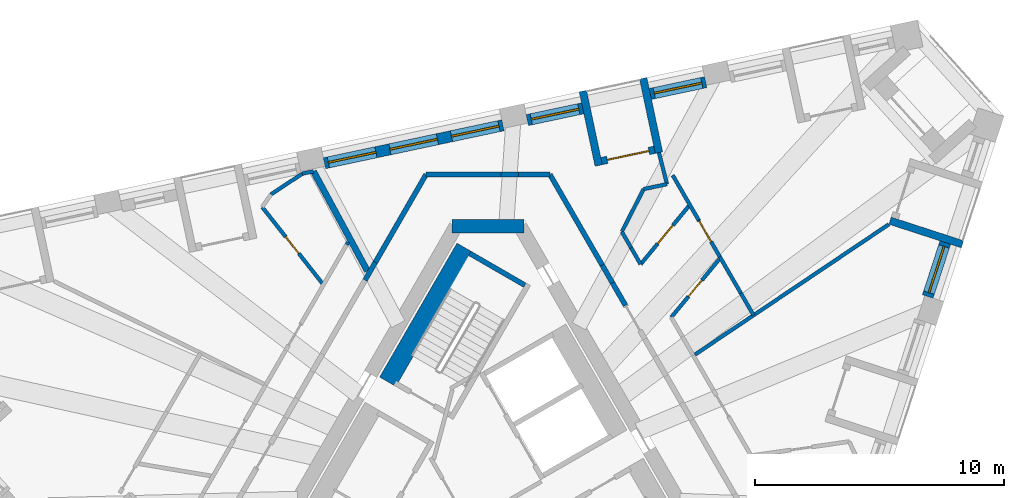
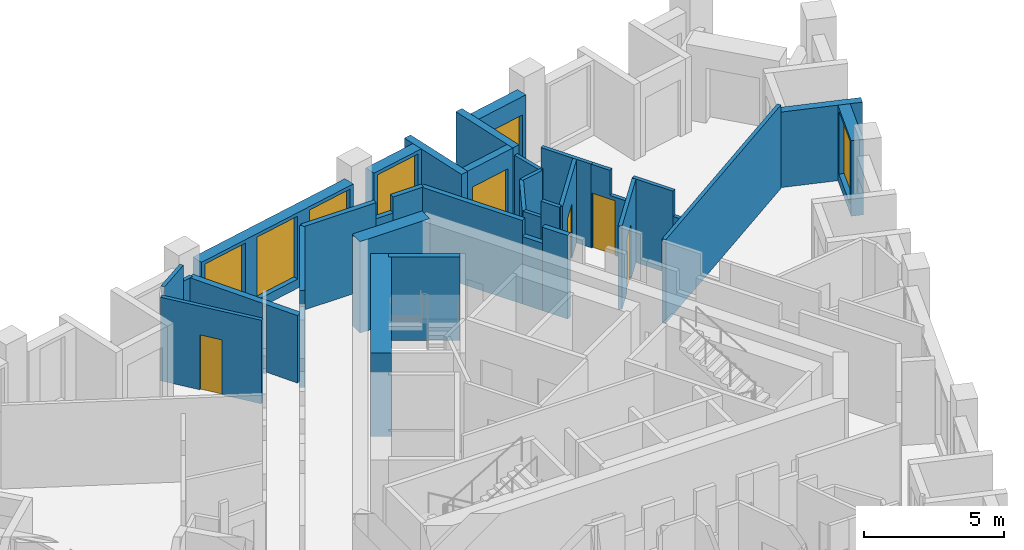
# One storey, part 7 of 12: 36 walls, 6 windows, 5 doors, 11 openings.
"""IFC4 building model written with IfcOpenShell, lengths in metres."""

import ifcopenshell
import ifcopenshell.guid

model = None  # the IFC model being written
_history = None  # IfcOwnerHistory: only IFC2X3 demands one
_inside = {}  # id of a spatial element -> (the spatial element, [elements in it])
_under = {}  # id of a project, library or spatial element -> (it, [spatial elements below it])
_declared = {}  # id of a project -> (the project, [libraries it declares])
_typed = {}  # id of a type object -> (the type object, [elements of that type])
_made_of = {}  # id of a material, layer set ... -> (it, [elements and type objects made of it])


def new_model(schema):
    """Start an empty IFC model of exactly this schema.

    Asked for "IFC4X3", IfcOpenShell would pick the latest addendum, in which some entities
    have other attributes; the version numbers below select the first issue.
    IFC2X3 requires an IfcOwnerHistory on every rooted entity: one is made here for all.
    """
    global model, _history
    if schema == "IFC4X3":
        model = ifcopenshell.file(schema_version=(4, 3, 0, 0))
    else:
        model = ifcopenshell.file(schema=schema)
    _inside.clear()
    _under.clear()
    _declared.clear()
    _typed.clear()
    _made_of.clear()
    _history = None
    if model.schema == "IFC2X3":
        org = make("IfcOrganization", Name="unknown")
        user = make(
            "IfcPersonAndOrganization",
            ThePerson=make("IfcPerson", FamilyName="unknown"),
            TheOrganization=org,
        )
        app = make(
            "IfcApplication",
            ApplicationDeveloper=org,
            Version="unknown",
            ApplicationFullName="unknown",
            ApplicationIdentifier="unknown",
        )
        _history = make(
            "IfcOwnerHistory",
            OwningUser=user,
            OwningApplication=app,
            ChangeAction="ADDED",
            CreationDate=0,
        )
    return model


def make(cls, **values):
    """One entity of the class cls with the attributes given. An attribute that is None is left unset."""
    return model.create_entity(
        cls, **{name: value for name, value in values.items() if value is not None}
    )


def rooted(cls, **values):
    """An entity with a GlobalId (a new one), such as an element, a storey or a relation."""
    return make(cls, GlobalId=ifcopenshell.guid.new(), OwnerHistory=_history, **values)


def si_unit(unit_type, name, prefix=None):
    """IfcSIUnit, for example si_unit("LENGTHUNIT", "METRE", prefix="MILLI")."""
    return make("IfcSIUnit", UnitType=unit_type, Prefix=prefix, Name=name)


def assignment(units):
    """IfcUnitAssignment: the units of a project."""
    return None if units is None else make("IfcUnitAssignment", Units=units)


def point(xyz):
    """IfcCartesianPoint."""
    return None if xyz is None else make("IfcCartesianPoint", Coordinates=xyz)


def direction(xyz):
    """IfcDirection."""
    return None if xyz is None else make("IfcDirection", DirectionRatios=xyz)


def frame(location, z_axis=None, x_axis=None):
    """IfcAxis2Placement3D, a coordinate frame: its origin and axes. An axis left out is left unset."""
    return make(
        "IfcAxis2Placement3D",
        Location=point(location),
        Axis=direction(z_axis),
        RefDirection=direction(x_axis),
    )


def frame_2d(location, x_axis=None):
    """IfcAxis2Placement2D, a coordinate frame in the plane: its origin and x axis."""
    return make(
        "IfcAxis2Placement2D", Location=point(location), RefDirection=direction(x_axis)
    )


def origin():
    """The frame at (0, 0, 0) with its axes left unset."""
    return frame((0.0, 0.0, 0.0))


def place(relative_to, where):
    """IfcLocalPlacement: puts the frame where relative to a parent placement (None: the world)."""
    return make(
        "IfcLocalPlacement", PlacementRelTo=relative_to, RelativePlacement=where
    )


def context(
    kind, dimensions, precision=None, world=None, true_north=None, identifier=None
):
    """IfcGeometricRepresentationContext, for example the 3D "Model" context."""
    return make(
        "IfcGeometricRepresentationContext",
        ContextIdentifier=identifier,
        ContextType=kind,
        CoordinateSpaceDimension=dimensions,
        Precision=precision,
        WorldCoordinateSystem=world,
        TrueNorth=true_north,
    )


def subcontext(parent, identifier, kind, view, scale=None):
    """IfcGeometricRepresentationSubContext, for example "Body" below "Model"."""
    return make(
        "IfcGeometricRepresentationSubContext",
        ContextIdentifier=identifier,
        ContextType=kind,
        ParentContext=parent,
        TargetScale=scale,
        TargetView=view,
    )


def project(units=None, contexts=None):
    """IfcProject with its units and contexts."""
    return rooted(
        "IfcProject",
        Name="project",
        RepresentationContexts=contexts,
        UnitsInContext=assignment(units),
    )


def spatial(cls, under=None, at=None, **own):
    """A site, building, storey or space (cls), placed at a placement, below another one or the project."""
    s = rooted(cls, ObjectPlacement=at, **own)
    if under is not None:
        _under.setdefault(under.id(), (under, []))[1].append(s)
    return s


def polyline(points):
    """IfcPolyline through the points."""
    return make("IfcPolyline", Points=[point(p) for p in points])


def profile(cls, at=None, kind="AREA", **sizes):
    """A parametric profile (cls). Its sizes go by their IFC names, for example OverallWidth=200.0."""
    return make(cls, ProfileType=kind, Position=at, **sizes)


def rectangle(**sizes):
    """IfcRectangleProfileDef."""
    return profile("IfcRectangleProfileDef", **sizes)


def outline(outer, holes=None, kind="AREA"):
    """IfcArbitraryClosedProfileDef: a profile drawn as a closed curve; with holes, ...WithVoids."""
    if holes is None:
        return make("IfcArbitraryClosedProfileDef", ProfileType=kind, OuterCurve=outer)
    return make(
        "IfcArbitraryProfileDefWithVoids",
        ProfileType=kind,
        OuterCurve=outer,
        InnerCurves=holes,
    )


def extrude(swept, where, along, depth):
    """IfcExtrudedAreaSolid: the profile swept, set in the frame where, extruded along a direction by depth."""
    return make(
        "IfcExtrudedAreaSolid",
        SweptArea=swept,
        Position=where,
        ExtrudedDirection=direction(along),
        Depth=depth,
    )


def shape(context_of_items, identifier, shape_type, items):
    """IfcShapeRepresentation: the items that make up one representation, for example the "Body"."""
    return make(
        "IfcShapeRepresentation",
        ContextOfItems=context_of_items,
        RepresentationIdentifier=identifier,
        RepresentationType=shape_type,
        Items=items,
    )


def material(Name=None, Category=None):
    """IfcMaterial."""
    return make("IfcMaterial", Name=Name, Category=Category)


def layer(
    of_material, thickness, ventilated=None, Name=None, Category=None, Priority=None
):
    """IfcMaterialLayer: one layer of a wall or slab, of a material (None: an air gap)."""
    return make(
        "IfcMaterialLayer",
        Material=of_material,
        LayerThickness=thickness,
        IsVentilated=ventilated,
        Name=Name,
        Category=Category,
        Priority=Priority,
    )


def layer_set(layers, Name=None):
    """IfcMaterialLayerSet."""
    return make("IfcMaterialLayerSet", MaterialLayers=layers, LayerSetName=Name)


def made_of(thing, what):
    """Note that an element or type object is made of a material, layer set ...; save() writes the relation."""
    if what is not None:
        _made_of.setdefault(what.id(), (what, []))[1].append(thing)
    return thing


def type_object(cls, material=None, **own):
    """A type object (cls), such as IfcWallType, which elements share."""
    return made_of(rooted(cls, **own), material)


def element(
    cls,
    number,
    at=None,
    inside=None,
    cuts=None,
    type_object=None,
    material=None,
    context=None,
    identifier="Body",
    shape_type=None,
    held_by="IfcProductDefinitionShape",
    body=None,
    shapes=None,
    **own,
):
    """One element of the class cls, such as IfcWall. Its Tag is "e" and its number.

    at: its placement. inside: the storey or other place that contains it. cuts: it is an
    opening in that element (IfcRelVoidsElement). A single representation is given by context,
    identifier, shape_type and body (its items); several are given by shapes. held_by: the class
    of the entity that holds the representations. save() writes the other relations.
    """
    e = rooted(cls, Tag="e%d" % number, ObjectPlacement=at, **own)
    if body is not None:
        shapes = [shape(context, identifier, shape_type, body)]
    if shapes is not None:
        e.Representation = make(held_by, Representations=shapes)
    if inside is not None:
        _inside.setdefault(inside.id(), (inside, []))[1].append(e)
    if cuts is not None:
        rooted(
            "IfcRelVoidsElement", RelatingBuildingElement=cuts, RelatedOpeningElement=e
        )
    if type_object is not None:
        _typed.setdefault(type_object.id(), (type_object, []))[1].append(e)
    return made_of(e, material)


def fill(opening, filler):
    """IfcRelFillsElement: the door or window that sits in an opening."""
    return rooted(
        "IfcRelFillsElement",
        RelatingOpeningElement=opening,
        RelatedBuildingElement=filler,
    )


def aggregate(whole, parts):
    """IfcRelAggregates: a whole, such as a stair, and the parts it consists of."""
    return rooted("IfcRelAggregates", RelatingObject=whole, RelatedObjects=parts)


def save(model, path):
    """Write the relations noted so far, then the file.

    IfcRelAggregates (storeys below a building ...), IfcRelContainedInSpatialStructure (elements
    in a storey), IfcRelDefinesByType, IfcRelAssociatesMaterial and IfcRelDeclares: one each for
    every whole, place, type object, material and project.
    """
    for whole, parts in _under.values():
        aggregate(whole, parts)
    for where, things in _inside.values():
        rooted(
            "IfcRelContainedInSpatialStructure",
            RelatedElements=things,
            RelatingStructure=where,
        )
    for kind, things in _typed.values():
        rooted("IfcRelDefinesByType", RelatedObjects=things, RelatingType=kind)
    for what, things in _made_of.values():
        rooted("IfcRelAssociatesMaterial", RelatedObjects=things, RelatingMaterial=what)
    for by, libraries in _declared.values():
        rooted("IfcRelDeclares", RelatingContext=by, RelatedDefinitions=libraries)
    model.write(path)


model = new_model("IFC4")

# Units and contexts
model_context = context("Model", 3, precision=1e-05, world=origin(), true_north=direction((0.0, 1.0)))
body_context = subcontext(model_context, "Body", "Model", "MODEL_VIEW")
ifc_project = project(units=[si_unit("LENGTHUNIT", "METRE"), si_unit("AREAUNIT", "SQUARE_METRE"), si_unit("VOLUMEUNIT", "CUBIC_METRE"), si_unit("PLANEANGLEUNIT", "RADIAN"), si_unit("MASSUNIT", "GRAM", prefix="KILO")], contexts=[model_context])

# Site, building, storey
site_placement = place(None, origin())
site = spatial("IfcSite", under=ifc_project, at=site_placement, CompositionType="ELEMENT")
building_placement = place(site_placement, origin())
building = spatial("IfcBuilding", under=site, at=building_placement, Name="Tramontana Tower", CompositionType="ELEMENT")
storey_placement = place(building_placement, frame((0.0, 0.0, 332.39990234375)))
storey = spatial("IfcBuildingStorey", under=building, at=storey_placement, Name="L76", CompositionType="ELEMENT", Elevation=332.39990234375)

# Walls
ifc_material_1 = material(Name="Concrete 70 MPa", Category="concrete")
ifc_layer_1 = layer(ifc_material_1, 0.550048828125)
ifc_layer_set_1 = layer_set([ifc_layer_1], Name="Core wall 550 70 MPa")
wall_type_1 = type_object("IfcWallType", Name="Core wall 550 70 MPa", PredefinedType="SHEAR", material=ifc_layer_set_1)
wall_1_placement = place(storey_placement, frame((1.443359375, 10.72509765625, 0.0), z_axis=(0.0, 0.0, 1.0), x_axis=(-1.0, 0.0, 0.0)))
element("IfcWall", 1, at=wall_1_placement, inside=storey, type_object=wall_type_1, Name="Core wall C0 L76", PredefinedType="SHEAR", context=body_context, shape_type="SweptSolid", body=[
    extrude(rectangle(XDim=2.88671875, YDim=0.550048828125, at=frame_2d((1.443359375, 0.0))), origin(), (0.0, 0.0, 1.0), 4.0),
])
ifc_material_2 = material(Name="Blockwork", Category="masonry")
ifc_layer_2 = layer(ifc_material_2, 0.199951171875)
ifc_layer_set_2 = layer_set([ifc_layer_2], Name="ENTRY WALL 200")
wall_type_2 = type_object("IfcWallType", Name="ENTRY WALL 200", PredefinedType="SOLIDWALL", material=ifc_layer_set_2)
wall_2_placement = place(storey_placement, frame((-4.9287109375, 8.563232421875, 0.0), z_axis=(0.0, 0.0, 1.0), x_axis=(0.500046299512, 0.865998671098, 0.0)))
element("IfcWall", 2, at=wall_2_placement, inside=storey, type_object=wall_type_2, Name="Wall v81-ew3-9", PredefinedType="SOLIDWALL", context=body_context, shape_type="SweptSolid", body=[
    extrude(rectangle(XDim=0.82666015625, YDim=0.199951171875, at=frame_2d((0.413330078125, 0.0))), origin(), (0.0, 0.0, 1.0), 2.9501953125),
])
wall_3_placement = place(storey_placement, frame((-4.515380859375, 9.279052734375, 0.0), z_axis=(0.0, 0.0, 1.0), x_axis=(0.499975428181, 0.866039589866, 0.0)))
element("IfcWall", 3, at=wall_3_placement, inside=storey, type_object=wall_type_2, Name="Wall v81-ew3-10", PredefinedType="SOLIDWALL", context=body_context, shape_type="SweptSolid", body=[
    extrude(rectangle(XDim=4.065673828125, YDim=0.199951171875, at=frame_2d((2.03271484375, 0.0))), origin(), (0.0, 0.0, 1.0), 3.650146484375),
])
wall_4_placement = place(storey_placement, frame((-2.482666015625, 12.800048828125, 0.0), z_axis=(0.0, 0.0, 1.0), x_axis=(1.0, 0.0, 0.0)))
element("IfcWall", 4, at=wall_4_placement, inside=storey, type_object=wall_type_2, Name="Wall v81-ew4-0", PredefinedType="SOLIDWALL", context=body_context, shape_type="SweptSolid", body=[
    extrude(rectangle(XDim=3.0029296875, YDim=0.199951171875, at=frame_2d((1.50146484375, 0.0))), origin(), (0.0, 0.0, 1.0), 3.650146484375),
])
wall_5_placement = place(storey_placement, frame((0.520263671875, 12.800048828125, 0.0), z_axis=(0.0, 0.0, 1.0), x_axis=(1.0, 0.0, 0.0)))
element("IfcWall", 5, at=wall_5_placement, inside=storey, type_object=wall_type_2, Name="Wall v81-ew4-1", PredefinedType="SOLIDWALL", context=body_context, shape_type="SweptSolid", body=[
    extrude(rectangle(XDim=0.701416015625, YDim=0.199951171875, at=frame_2d((0.3505859375, 0.0))), origin(), (0.0, 0.0, 1.0), 2.9501953125),
])
wall_6_placement = place(storey_placement, frame((1.2216796875, 12.800048828125, 0.0), z_axis=(0.0, 0.0, 1.0), x_axis=(1.0, 0.0, 0.0)))
element("IfcWall", 6, at=wall_6_placement, inside=storey, type_object=wall_type_2, Name="Wall v81-ew4-2", PredefinedType="SOLIDWALL", context=body_context, shape_type="SweptSolid", body=[
    extrude(rectangle(XDim=1.260986328125, YDim=0.199951171875, at=frame_2d((0.63037109375, 0.0))), origin(), (0.0, 0.0, 1.0), 3.650146484375),
])
wall_7_placement = place(storey_placement, frame((2.482666015625, 12.800048828125, 0.0), z_axis=(0.0, 0.0, 1.0), x_axis=(0.499982771656, -0.866035350345, 0.0)))
element("IfcWall", 7, at=wall_7_placement, inside=storey, type_object=wall_type_2, Name="Wall v81-ew5-0", PredefinedType="SOLIDWALL", context=body_context, shape_type="SweptSolid", body=[
    extrude(rectangle(XDim=4.194580078125, YDim=0.199951171875, at=frame_2d((2.09716796875, 0.0))), origin(), (0.0, 0.0, 1.0), 3.650146484375),
])
wall_8_placement = place(storey_placement, frame((4.579833984375, 9.16748046875, 0.0), z_axis=(0.0, 0.0, 1.0), x_axis=(0.499945576647, -0.866056822842, 0.0)))
element("IfcWall", 8, at=wall_8_placement, inside=storey, type_object=wall_type_2, Name="Wall v81-ew5-1", PredefinedType="SOLIDWALL", context=body_context, shape_type="SweptSolid", body=[
    extrude(rectangle(XDim=0.82080078125, YDim=0.199951171875, at=frame_2d((0.410400390625, 0.0))), origin(), (0.0, 0.0, 1.0), 2.9501953125),
])
wall_9_placement = place(storey_placement, frame((4.990234375, 8.45654296875, 0.0), z_axis=(0.0, 0.0, 1.0), x_axis=(0.500064554934, -0.865988129768, 0.0)))
element("IfcWall", 9, at=wall_9_placement, inside=storey, type_object=wall_type_2, Name="Wall v81-ew5-2", PredefinedType="SOLIDWALL", context=body_context, shape_type="SweptSolid", body=[
    extrude(rectangle(XDim=1.050048828125, YDim=0.199951171875, at=frame_2d((0.52490234375, 0.0))), origin(), (0.0, 0.0, 1.0), 3.650146484375),
])

# Wall, opening, window
ifc_material_3 = material(Name="Precast concrete 60 MPa", Category="concrete")
ifc_layer_3 = layer(ifc_material_3, 0.449951171875)
ifc_layer_set_3 = layer_set([ifc_layer_3], Name="Precast concrete 60 MPa, 450 mm")
wall_type_3 = type_object("IfcWallType", Name="EW1 Stone-faced precast wall 450", PredefinedType="SOLIDWALL", material=ifc_layer_set_3)
wall_10_placement = place(storey_placement, frame((17.632080078125, 7.9091796875, 0.0), z_axis=(0.0, 0.0, 1.0), x_axis=(0.309027740273, 0.951053024674, 0.0)))
wall_10 = element("IfcWall", 10, at=wall_10_placement, inside=storey, type_object=wall_type_3, Name="External wall L76 face 1 bay 5", PredefinedType="SOLIDWALL", context=body_context, shape_type="SweptSolid", body=[
    extrude(rectangle(XDim=2.271240234375, YDim=0.449951171875, at=frame_2d((1.1357421875, 0.0))), origin(), (0.0, 0.0, 1.0), 3.300048828125),
])
opening_1_placement = place(wall_10_placement, frame((0.16064453125, 0.0, 0.39990234375)))
opening_1 = element("IfcOpeningElement", 11, at=opening_1_placement, cuts=wall_10, Name="Opening M3", PredefinedType="OPENING", context=body_context, shape_type="SweptSolid", body=[
    extrude(rectangle(XDim=1.949951171875, YDim=2.75, at=frame_2d((0.97509765625, 1.375))), frame((0.0, 0.23486328125, 0.0), z_axis=(0.0, -1.0, 0.0), x_axis=(1.0, 0.0, 0.0)), (0.0, 0.0, 1.0), 0.469970703125),
])
ifc_material_4 = material(Name="Aluminum frame, double glazing unit", Category="aluminium")
window_type_1 = type_object("IfcWindowType", Name="M3 Window 1.95 x 2.75", PartitioningType="SINGLE_PANEL", PredefinedType="WINDOW", material=ifc_material_4)
window_1_placement = place(opening_1_placement, origin())
window_1 = element("IfcWindow", 12, at=window_1_placement, inside=storey, type_object=window_type_1, Name="Window M3 L76 face 1 module 13", OverallHeight=2.75, OverallWidth=1.949951171875, PartitioningType="SINGLE_PANEL", PredefinedType="WINDOW", context=body_context, shape_type="SweptSolid", body=[
    extrude(rectangle(XDim=1.949951171875, YDim=2.75, at=frame_2d((0.97509765625, 1.375))), frame((0.0, 0.030029296875, 0.0), z_axis=(0.0, -1.0, 0.0), x_axis=(1.0, 0.0, 0.0)), (0.0, 0.0, 1.0), 0.06005859375),
])
fill(opening_1, window_1)

wall_11_placement = place(storey_placement, frame((8.73095703125, 16.500732421875, 0.0), z_axis=(0.0, 0.0, 1.0), x_axis=(-0.978153386925, -0.207884467067, 0.0)))
wall_11 = element("IfcWall", 13, at=wall_11_placement, inside=storey, type_object=wall_type_3, Name="External wall L76 face 2 bay 2", PredefinedType="SOLIDWALL", context=body_context, shape_type="SweptSolid", body=[
    extrude(rectangle(XDim=2.271240234375, YDim=0.449951171875, at=frame_2d((1.1357421875, 0.0))), origin(), (0.0, 0.0, 1.0), 3.300048828125),
])
opening_2_placement = place(wall_11_placement, frame((0.16064453125, 0.0, 0.39990234375)))
opening_2 = element("IfcOpeningElement", 14, at=opening_2_placement, cuts=wall_11, Name="Opening M3L", PredefinedType="OPENING", context=body_context, shape_type="SweptSolid", body=[
    extrude(rectangle(XDim=1.949951171875, YDim=2.10009765625, at=frame_2d((0.97509765625, 1.050048828125))), frame((0.0, 0.23486328125, 0.0), z_axis=(0.0, -1.0, 0.0), x_axis=(1.0, 0.0, 0.0)), (0.0, 0.0, 1.0), 0.469970703125),
])
ifc_material_5 = material(Name="Aluminum frame, double glazing unit", Category="aluminium")
window_type_2 = type_object("IfcWindowType", Name="M3L Window 1.95 x 2.1", PartitioningType="SINGLE_PANEL", PredefinedType="WINDOW", material=ifc_material_5)
window_2_placement = place(opening_2_placement, origin())
window_2 = element("IfcWindow", 15, at=window_2_placement, inside=storey, type_object=window_type_2, Name="Window M3L L76 face 2 module 4", OverallHeight=2.10009765625, OverallWidth=1.949951171875, PartitioningType="SINGLE_PANEL", PredefinedType="WINDOW", context=body_context, shape_type="SweptSolid", body=[
    extrude(rectangle(XDim=1.949951171875, YDim=2.10009765625, at=frame_2d((0.97509765625, 1.050048828125))), frame((0.0, 0.030029296875, 0.0), z_axis=(0.0, -1.0, 0.0), x_axis=(1.0, 0.0, 0.0)), (0.0, 0.0, 1.0), 0.06005859375),
])
fill(opening_2, window_2)

wall_12_placement = place(storey_placement, frame((3.798583984375, 15.452392578125, 0.0), z_axis=(0.0, 0.0, 1.0), x_axis=(-0.978153386925, -0.207884467067, 0.0)))
wall_12 = element("IfcWall", 16, at=wall_12_placement, inside=storey, type_object=wall_type_3, Name="External wall L76 face 2 bay 2", PredefinedType="SOLIDWALL", context=body_context, shape_type="SweptSolid", body=[
    extrude(rectangle(XDim=2.271240234375, YDim=0.449951171875, at=frame_2d((1.1357421875, 0.0))), origin(), (0.0, 0.0, 1.0), 3.300048828125),
])
opening_3_placement = place(wall_12_placement, frame((0.16064453125, 0.0, 0.39990234375)))
opening_3 = element("IfcOpeningElement", 17, at=opening_3_placement, cuts=wall_12, Name="Opening M3", PredefinedType="OPENING", context=body_context, shape_type="SweptSolid", body=[
    extrude(rectangle(XDim=1.949951171875, YDim=2.75, at=frame_2d((0.97509765625, 1.375))), frame((0.0, 0.23486328125, 0.0), z_axis=(0.0, -1.0, 0.0), x_axis=(1.0, 0.0, 0.0)), (0.0, 0.0, 1.0), 0.469970703125),
])
window_3_placement = place(opening_3_placement, origin())
window_3 = element("IfcWindow", 18, at=window_3_placement, inside=storey, type_object=window_type_1, Name="Window M3 L76 face 2 module 6", OverallHeight=2.75, OverallWidth=1.949951171875, PartitioningType="SINGLE_PANEL", PredefinedType="WINDOW", context=body_context, shape_type="SweptSolid", body=[
    extrude(rectangle(XDim=1.949951171875, YDim=2.75, at=frame_2d((0.97509765625, 1.375))), frame((0.0, 0.030029296875, 0.0), z_axis=(0.0, -1.0, 0.0), x_axis=(1.0, 0.0, 0.0)), (0.0, 0.0, 1.0), 0.06005859375),
])
fill(opening_3, window_3)

# Wall, openings, windows
wall_13_placement = place(storey_placement, frame((0.5986328125, 14.772216796875, 0.0), z_axis=(0.0, 0.0, 1.0), x_axis=(-0.978151299843, -0.207894287118, 0.0)))
wall_13 = element("IfcWall", 19, at=wall_13_placement, inside=storey, type_object=wall_type_3, Name="External wall L76 face 2 bay 3", PredefinedType="SOLIDWALL", context=body_context, shape_type="SweptSolid", body=[
    extrude(rectangle(XDim=7.31396484375, YDim=0.449951171875, at=frame_2d((3.656982421875, 0.0))), origin(), (0.0, 0.0, 1.0), 3.300048828125),
])
opening_4_placement = place(wall_13_placement, frame((0.16064453125, 0.0, 0.39990234375)))
opening_4 = element("IfcOpeningElement", 20, at=opening_4_placement, cuts=wall_13, Name="Opening M3", PredefinedType="OPENING", context=body_context, shape_type="SweptSolid", body=[
    extrude(rectangle(XDim=1.949951171875, YDim=2.75, at=frame_2d((0.97509765625, 1.375))), frame((0.0, 0.23486328125, 0.0), z_axis=(0.0, -1.0, 0.0), x_axis=(1.0, 0.0, 0.0)), (0.0, 0.0, 1.0), 0.469970703125),
])
opening_5_placement = place(wall_13_placement, frame((2.681884765625, 0.0, 0.39990234375)))
opening_5 = element("IfcOpeningElement", 21, at=opening_5_placement, cuts=wall_13, Name="Opening M3", PredefinedType="OPENING", context=body_context, shape_type="SweptSolid", body=[
    extrude(rectangle(XDim=1.949951171875, YDim=2.75, at=frame_2d((0.97509765625, 1.375))), frame((0.0, 0.23486328125, 0.0), z_axis=(0.0, -1.0, 0.0), x_axis=(1.0, 0.0, 0.0)), (0.0, 0.0, 1.0), 0.469970703125),
])
opening_6_placement = place(wall_13_placement, frame((5.203125, 0.0, 0.39990234375)))
opening_6 = element("IfcOpeningElement", 22, at=opening_6_placement, cuts=wall_13, Name="Opening M3", PredefinedType="OPENING", context=body_context, shape_type="SweptSolid", body=[
    extrude(rectangle(XDim=1.949951171875, YDim=2.75, at=frame_2d((0.97509765625, 1.375))), frame((0.0, 0.23486328125, 0.0), z_axis=(0.0, -1.0, 0.0), x_axis=(1.0, 0.0, 0.0)), (0.0, 0.0, 1.0), 0.469970703125),
])
window_4_placement = place(opening_4_placement, origin())
window_4 = element("IfcWindow", 23, at=window_4_placement, inside=storey, type_object=window_type_1, Name="Window M3 L76 face 2 module 7", OverallHeight=2.75, OverallWidth=1.949951171875, PartitioningType="SINGLE_PANEL", PredefinedType="WINDOW", context=body_context, shape_type="SweptSolid", body=[
    extrude(rectangle(XDim=1.949951171875, YDim=2.75, at=frame_2d((0.97509765625, 1.375))), frame((0.0, 0.030029296875, 0.0), z_axis=(0.0, -1.0, 0.0), x_axis=(1.0, 0.0, 0.0)), (0.0, 0.0, 1.0), 0.06005859375),
])
fill(opening_4, window_4)
window_5_placement = place(opening_5_placement, origin())
window_5 = element("IfcWindow", 24, at=window_5_placement, inside=storey, type_object=window_type_1, Name="Window M3 L76 face 2 module 8", OverallHeight=2.75, OverallWidth=1.949951171875, PartitioningType="SINGLE_PANEL", PredefinedType="WINDOW", context=body_context, shape_type="SweptSolid", body=[
    extrude(rectangle(XDim=1.949951171875, YDim=2.75, at=frame_2d((0.97509765625, 1.375))), frame((0.0, 0.030029296875, 0.0), z_axis=(0.0, -1.0, 0.0), x_axis=(1.0, 0.0, 0.0)), (0.0, 0.0, 1.0), 0.06005859375),
])
fill(opening_5, window_5)
window_6_placement = place(opening_6_placement, origin())
window_6 = element("IfcWindow", 25, at=window_6_placement, inside=storey, type_object=window_type_1, Name="Window M3 L76 face 2 module 9", OverallHeight=2.75, OverallWidth=1.949951171875, PartitioningType="SINGLE_PANEL", PredefinedType="WINDOW", context=body_context, shape_type="SweptSolid", body=[
    extrude(rectangle(XDim=1.949951171875, YDim=2.75, at=frame_2d((0.97509765625, 1.375))), frame((0.0, 0.030029296875, 0.0), z_axis=(0.0, -1.0, 0.0), x_axis=(1.0, 0.0, 0.0)), (0.0, 0.0, 1.0), 0.06005859375),
])
fill(opening_6, window_6)

# Wall
ifc_material_6 = material(Name="Precast concrete 60 MPa", Category="concrete")
ifc_layer_4 = layer(ifc_material_6, 0.300048828125)
ifc_layer_set_4 = layer_set([ifc_layer_4], Name="LW1 Stone-faced loggia wall 300")
wall_type_4 = type_object("IfcWallType", Name="LW1 Stone-faced loggia wall 300", PredefinedType="SOLIDWALL", material=ifc_layer_set_4)
wall_14_placement = place(storey_placement, frame((19.022216796875, 10.00341796875, 0.0), z_axis=(0.0, 0.0, 1.0), x_axis=(-0.951041715693, 0.309062542235, 0.0)))
element("IfcWall", 26, at=wall_14_placement, inside=storey, type_object=wall_type_4, Name="Loggia return L76 G8S1.13a", PredefinedType="SOLIDWALL", context=body_context, shape_type="SweptSolid", body=[
    extrude(rectangle(XDim=3.050048828125, YDim=0.300048828125, at=frame_2d((1.52490234375, 0.0))), origin(), (0.0, 0.0, 1.0), 3.300048828125),
])

# Wall, opening, door
wall_15_placement = place(storey_placement, frame((6.678466796875, 13.789794921875, 0.0), z_axis=(0.0, 0.0, 1.0), x_axis=(-0.978153135692, -0.207885649183, 0.0)))
wall_15 = element("IfcWall", 27, at=wall_15_placement, inside=storey, type_object=wall_type_4, Name="Loggia wall L76 G8S2.4", PredefinedType="SOLIDWALL", context=body_context, shape_type="SweptSolid", body=[
    extrude(rectangle(XDim=2.17138671875, YDim=0.300048828125, at=frame_2d((1.085693359375, 0.0))), origin(), (0.0, 0.0, 1.0), 3.300048828125),
])
opening_7_placement = place(wall_15_placement, frame((0.235595703125, 0.0, 0.0)))
opening_7 = element("IfcOpeningElement", 28, at=opening_7_placement, cuts=wall_15, Name="Opening BD-8S2-04", PredefinedType="OPENING", context=body_context, shape_type="SweptSolid", body=[
    extrude(rectangle(XDim=1.699951171875, YDim=2.5, at=frame_2d((0.85009765625, 1.25))), frame((0.0, 0.159912109375, 0.0), z_axis=(0.0, -1.0, 0.0), x_axis=(1.0, 0.0, 0.0)), (0.0, 0.0, 1.0), 0.320068359375),
])
ifc_material_7 = material(Name="Aluminum frame, double glazing unit", Category="aluminium")
door_type_1 = type_object("IfcDoorType", Name="BD3 Sliding door 1.7 x 2.5", OperationType="SLIDING_TO_LEFT", PredefinedType="DOOR", material=ifc_material_7)
door_1_placement = place(opening_7_placement, origin())
door_1 = element("IfcDoor", 29, at=door_1_placement, inside=storey, type_object=door_type_1, Name="Loggia door L76 G8S2.4", OperationType="SLIDING_TO_LEFT", OverallHeight=2.5, OverallWidth=1.699951171875, PredefinedType="DOOR", context=body_context, shape_type="SweptSolid", body=[
    extrude(rectangle(XDim=1.699951171875, YDim=2.5, at=frame_2d((0.85009765625, 1.25))), frame((0.0, 0.02490234375, 0.0), z_axis=(0.0, -1.0, 0.0), x_axis=(1.0, 0.0, 0.0)), (0.0, 0.0, 1.0), 0.050048828125),
])
fill(opening_7, door_1)

# Walls
for number, where, z_axis, x_axis, name in (
    (30, (6.22216796875, 16.65771484375, 0.0), (0.0, 0.0, 1.0), (0.207877902534, -0.978154782045, 0.0), "Loggia return L76 G8S2.4a"),
    (31, (3.804931640625, 16.143798828125, 0.0), (0.0, 0.0, 1.0), (0.207877902534, -0.978154782045, 0.0), "Loggia return L76 G8S2.4b"),
):
    element("IfcWall", number, at=place(storey_placement, frame(where, z_axis=z_axis, x_axis=x_axis)), inside=storey, type_object=wall_type_4, Name=name, PredefinedType="SOLIDWALL", context=body_context, shape_type="SweptSolid", body=[
        extrude(rectangle(XDim=3.050048828125, YDim=0.300048828125, at=frame_2d((1.52490234375, 0.0))), origin(), (0.0, 0.0, 1.0), 3.300048828125),
    ])
ifc_material_8 = material(Name="Gypsum board partition")
ifc_layer_5 = layer(ifc_material_8, 0.14990234375)
ifc_layer_set_5 = layer_set([ifc_layer_5], Name="PARTITION 150")
wall_type_5 = type_object("IfcWallType", Name="PARTITION 150", PredefinedType="PARTITIONING", material=ifc_layer_set_5)
wall_16_placement = place(storey_placement, frame((-5.666748046875, 9.984619140625, 0.0), z_axis=(0.0, 0.0, 1.0), x_axis=(0.499323735398, 0.866415493437, 0.0)))
element("IfcWall", 32, at=wall_16_placement, inside=storey, type_object=wall_type_5, Name="Wall v81-pw07-8", PredefinedType="PARTITIONING", context=body_context, shape_type="SweptSolid", body=[
    extrude(rectangle(XDim=0.123779296875, YDim=0.14990234375, at=frame_2d((0.06201171875, 0.0))), origin(), (0.0, 0.0, 1.0), 2.9501953125),
])
wall_17_placement = place(storey_placement, frame((-8.701416015625, 12.000732421875, 0.0), z_axis=(0.0, 0.0, 1.0), x_axis=(0.834111861679, 0.551595324678, 0.0)))
element("IfcWall", 33, at=wall_17_placement, inside=storey, type_object=wall_type_5, Name="Wall v81-pw08", PredefinedType="PARTITIONING", context=body_context, shape_type="SweptSolid", body=[
    extrude(rectangle(XDim=1.508056640625, YDim=0.14990234375, at=frame_2d((0.75390625, 0.0))), origin(), (0.0, 0.0, 1.0), 3.650146484375),
])

# Wall, opening, door
wall_18_placement = place(storey_placement, frame((-9.052001953125, 11.494384765625, 0.0), z_axis=(0.0, 0.0, 1.0), x_axis=(0.618736062821, -0.785598933658, 0.0)))
wall_18 = element("IfcWall", 34, at=wall_18_placement, inside=storey, type_object=wall_type_5, Name="Wall v81-pw10", PredefinedType="PARTITIONING", context=body_context, shape_type="SweptSolid", body=[
    extrude(rectangle(XDim=3.888916015625, YDim=0.14990234375, at=frame_2d((1.9443359375, 0.0))), origin(), (0.0, 0.0, 1.0), 3.650146484375),
])
opening_8_placement = place(wall_18_placement, frame((1.51953125, 0.0, 0.0)))
opening_8 = element("IfcOpeningElement", 35, at=opening_8_placement, cuts=wall_18, Name="Opening B8B-05", PredefinedType="OPENING", context=body_context, shape_type="SweptSolid", body=[
    extrude(rectangle(XDim=0.85009765625, YDim=2.39990234375, at=frame_2d((0.425048828125, 1.199951171875))), frame((0.0, 0.0849609375, 0.0), z_axis=(0.0, -1.0, 0.0), x_axis=(1.0, 0.0, 0.0)), (0.0, 0.0, 1.0), 0.169921875),
])
ifc_material_9 = material(Name="Painted timber", Category="wood")
door_type_2 = type_object("IfcDoorType", Name="DOOR BATH 850", OperationType="SINGLE_SWING_LEFT", PredefinedType="DOOR", material=ifc_material_9)
door_2_placement = place(opening_8_placement, origin())
door_2 = element("IfcDoor", 36, at=door_2_placement, inside=storey, type_object=door_type_2, Name="Door B8B-05", OperationType="SINGLE_SWING_LEFT", OverallHeight=2.39990234375, OverallWidth=0.85009765625, PredefinedType="DOOR", context=body_context, shape_type="SweptSolid", body=[
    extrude(rectangle(XDim=0.85009765625, YDim=2.39990234375, at=frame_2d((0.425048828125, 1.199951171875))), frame((0.0, 0.02490234375, 0.0), z_axis=(0.0, -1.0, 0.0), x_axis=(1.0, 0.0, 0.0)), (0.0, 0.0, 1.0), 0.050048828125),
])
fill(opening_8, door_2)

# Walls
wall_19_placement = place(storey_placement, frame((5.36767578125, 10.5029296875, 0.0), z_axis=(0.0, 0.0, 1.0), x_axis=(0.49999788721, -0.866026623601, 0.0)))
element("IfcWall", 37, at=wall_19_placement, inside=storey, type_object=wall_type_5, Name="Wall v81-pw16-0", PredefinedType="PARTITIONING", context=body_context, shape_type="SweptSolid", body=[
    extrude(rectangle(XDim=0.74169921875, YDim=0.14990234375, at=frame_2d((0.370849609375, 0.0))), origin(), (0.0, 0.0, 1.0), 2.9501953125),
])
wall_20_placement = place(storey_placement, frame((5.738525390625, 9.860595703125, 0.0), z_axis=(0.0, 0.0, 1.0), x_axis=(0.499945245186, -0.866057014183, 0.0)))
element("IfcWall", 38, at=wall_20_placement, inside=storey, type_object=wall_type_5, Name="Wall v81-pw16-1", PredefinedType="PARTITIONING", context=body_context, shape_type="SweptSolid", body=[
    extrude(rectangle(XDim=0.7587890625, YDim=0.14990234375, at=frame_2d((0.37939453125, 0.0))), origin(), (0.0, 0.0, 1.0), 3.650146484375),
])

# Wall, opening, door
wall_21_placement = place(storey_placement, frame((6.123046875, 9.202880859375, 0.0), z_axis=(0.0, 0.0, 1.0), x_axis=(0.637527238258, 0.770427816527, 0.0)))
wall_21 = element("IfcWall", 39, at=wall_21_placement, inside=storey, type_object=wall_type_5, Name="Wall v81-pw17", PredefinedType="PARTITIONING", context=body_context, shape_type="SweptSolid", body=[
    extrude(rectangle(XDim=3.086181640625, YDim=0.14990234375, at=frame_2d((1.54296875, 0.0))), origin(), (0.0, 0.0, 1.0), 3.650146484375),
])
opening_9_placement = place(wall_21_placement, frame((1.068115234375, 0.0, 0.0)))
opening_9 = element("IfcOpeningElement", 40, at=opening_9_placement, cuts=wall_21, Name="Opening B8B-10", PredefinedType="OPENING", context=body_context, shape_type="SweptSolid", body=[
    extrude(rectangle(XDim=0.949951171875, YDim=2.39990234375, at=frame_2d((0.47509765625, 1.199951171875))), frame((0.0, 0.0849609375, 0.0), z_axis=(0.0, -1.0, 0.0), x_axis=(1.0, 0.0, 0.0)), (0.0, 0.0, 1.0), 0.169921875),
])
ifc_material_10 = material(Name="Painted timber", Category="wood")
door_type_3 = type_object("IfcDoorType", Name="DOOR ROOM 950", OperationType="SINGLE_SWING_LEFT", PredefinedType="DOOR", material=ifc_material_10)
door_3_placement = place(opening_9_placement, origin())
door_3 = element("IfcDoor", 41, at=door_3_placement, inside=storey, type_object=door_type_3, Name="Door B8B-10", OperationType="SINGLE_SWING_RIGHT", OverallHeight=2.39990234375, OverallWidth=0.949951171875, PredefinedType="DOOR", context=body_context, shape_type="SweptSolid", body=[
    extrude(rectangle(XDim=0.949951171875, YDim=2.39990234375, at=frame_2d((0.47509765625, 1.199951171875))), frame((0.0, 0.02490234375, 0.0), z_axis=(0.0, -1.0, 0.0), x_axis=(1.0, 0.0, 0.0)), (0.0, 0.0, 1.0), 0.050048828125),
])
fill(opening_9, door_3)

# Walls
wall_22_placement = place(storey_placement, frame((6.24072265625, 12.213623046875, 0.0), z_axis=(0.0, 0.0, 1.0), x_axis=(-0.454983274657, -0.890499983033, 0.0)))
element("IfcWall", 42, at=wall_22_placement, inside=storey, type_object=wall_type_5, Name="Wall v81-pw18-0", PredefinedType="PARTITIONING", context=body_context, shape_type="SweptSolid", body=[
    extrude(rectangle(XDim=1.9189453125, YDim=0.14990234375, at=frame_2d((0.95947265625, 0.0))), origin(), (0.0, 0.0, 1.0), 2.9501953125),
])
wall_23_placement = place(storey_placement, frame((6.856201171875, 13.67431640625, 0.0), z_axis=(0.0, 0.0, 1.0), x_axis=(0.245448654104, -0.969409592586, 0.0)))
element("IfcWall", 43, at=wall_23_placement, inside=storey, type_object=wall_type_5, Name="Wall v81-pw20-0", PredefinedType="PARTITIONING", context=body_context, shape_type="SweptSolid", body=[
    extrude(rectangle(XDim=1.301025390625, YDim=0.14990234375, at=frame_2d((0.650390625, 0.0))), origin(), (0.0, 0.0, 1.0), 2.9501953125),
])
wall_24_placement = place(storey_placement, frame((7.17529296875, 12.4130859375, 0.0), z_axis=(0.0, 0.0, 1.0), x_axis=(-0.978167956207, -0.207815902784, 0.0)))
element("IfcWall", 44, at=wall_24_placement, inside=storey, type_object=wall_type_5, Name="Wall v81-pw23-0", PredefinedType="PARTITIONING", context=body_context, shape_type="SweptSolid", body=[
    extrude(rectangle(XDim=0.953857421875, YDim=0.14990234375, at=frame_2d((0.47705078125, 0.0))), origin(), (0.0, 0.0, 1.0), 2.9501953125),
])
wall_25_placement = place(storey_placement, frame((7.4072265625, 12.7705078125, 0.0), z_axis=(0.0, 0.0, 1.0), x_axis=(0.499963683025, -0.866046370384, 0.0)))
element("IfcWall", 45, at=wall_25_placement, inside=storey, type_object=wall_type_5, Name="Wall v81-pw26-0", PredefinedType="PARTITIONING", context=body_context, shape_type="SweptSolid", body=[
    extrude(rectangle(XDim=2.073486328125, YDim=0.14990234375, at=frame_2d((1.03662109375, 0.0))), origin(), (0.0, 0.0, 1.0), 3.650146484375),
])

# Wall, opening, door
wall_26_placement = place(storey_placement, frame((8.44384765625, 10.974853515625, 0.0), z_axis=(0.0, 0.0, 1.0), x_axis=(0.499958946799, -0.866049104564, 0.0)))
wall_26 = element("IfcWall", 46, at=wall_26_placement, inside=storey, type_object=wall_type_5, Name="Wall v81-pw26-1", PredefinedType="PARTITIONING", context=body_context, shape_type="SweptSolid", body=[
    extrude(outline(polyline([(0.0, 0.0), (1.697998046875, 0.0), (1.69775390625, 2.550048828125), (0.780029296875, 2.550048828125), (0.780029296875, 3.650146484375), (0.0, 3.650146484375), (0.0, 0.0)])), frame((0.0, 0.074951171875, 0.0), z_axis=(0.0, -1.0, 0.0), x_axis=(1.0, 0.0, 0.0)), (0.0, 0.0, 1.0), 0.14990234375),
])
opening_10_placement = place(wall_26_placement, frame((0.050048828125, 0.0, 0.0)))
opening_10 = element("IfcOpeningElement", 47, at=opening_10_placement, cuts=wall_26, Name="Opening B8B-12", PredefinedType="OPENING", context=body_context, shape_type="SweptSolid", body=[
    extrude(rectangle(XDim=0.949951171875, YDim=2.39990234375, at=frame_2d((0.47509765625, 1.199951171875))), frame((0.0, 0.0849609375, 0.0), z_axis=(0.0, -1.0, 0.0), x_axis=(1.0, 0.0, 0.0)), (0.0, 0.0, 1.0), 0.169921875),
])
door_4_placement = place(opening_10_placement, origin())
door_4 = element("IfcDoor", 48, at=door_4_placement, inside=storey, type_object=door_type_3, Name="Door B8B-12", OperationType="SINGLE_SWING_RIGHT", OverallHeight=2.39990234375, OverallWidth=0.949951171875, PredefinedType="DOOR", context=body_context, shape_type="SweptSolid", body=[
    extrude(rectangle(XDim=0.949951171875, YDim=2.39990234375, at=frame_2d((0.47509765625, 1.199951171875))), frame((0.0, 0.02490234375, 0.0), z_axis=(0.0, -1.0, 0.0), x_axis=(1.0, 0.0, 0.0)), (0.0, 0.0, 1.0), 0.050048828125),
])
fill(opening_10, door_4)

# Walls
wall_27_placement = place(storey_placement, frame((9.292724609375, 9.50439453125, 0.0), z_axis=(0.0, 0.0, 1.0), x_axis=(0.500046963369, -0.865998287773, 0.0)))
element("IfcWall", 49, at=wall_27_placement, inside=storey, type_object=wall_type_5, Name="Wall v81-pw26-2", PredefinedType="PARTITIONING", context=body_context, shape_type="SweptSolid", body=[
    extrude(rectangle(XDim=1.693115234375, YDim=0.14990234375, at=frame_2d((0.8466796875, 0.0))), origin(), (0.0, 0.0, 1.0), 3.650146484375),
])
wall_28_placement = place(storey_placement, frame((10.139404296875, 8.0380859375, 0.0), z_axis=(0.0, 0.0, 1.0), x_axis=(0.49999308822, -0.866029394266, 0.0)))
element("IfcWall", 50, at=wall_28_placement, inside=storey, type_object=wall_type_5, Name="Wall v81-pw26-3", PredefinedType="PARTITIONING", context=body_context, shape_type="SweptSolid", body=[
    extrude(rectangle(XDim=1.01513671875, YDim=0.14990234375, at=frame_2d((0.507568359375, 0.0))), origin(), (0.0, 0.0, 1.0), 2.550048828125),
])

# Wall, opening, door
wall_29_placement = place(storey_placement, frame((9.2685546875, 9.396240234375, 0.0), z_axis=(0.0, 0.0, 1.0), x_axis=(-0.637589281978, -0.770376471283, 0.0)))
wall_29 = element("IfcWall", 51, at=wall_29_placement, inside=storey, type_object=wall_type_5, Name="Wall v81-pw30", PredefinedType="PARTITIONING", context=body_context, shape_type="SweptSolid", body=[
    extrude(rectangle(XDim=3.01171875, YDim=0.14990234375, at=frame_2d((1.505859375, 0.0))), origin(), (0.0, 0.0, 1.0), 3.650146484375),
])
opening_11_placement = place(wall_29_placement, frame((1.080810546875, 0.0, 0.0)))
opening_11 = element("IfcOpeningElement", 52, at=opening_11_placement, cuts=wall_29, Name="Opening B8B-11", PredefinedType="OPENING", context=body_context, shape_type="SweptSolid", body=[
    extrude(rectangle(XDim=0.85009765625, YDim=2.39990234375, at=frame_2d((0.425048828125, 1.199951171875))), frame((0.0, 0.0849609375, 0.0), z_axis=(0.0, -1.0, 0.0), x_axis=(1.0, 0.0, 0.0)), (0.0, 0.0, 1.0), 0.169921875),
])
door_5_placement = place(opening_11_placement, origin())
door_5 = element("IfcDoor", 53, at=door_5_placement, inside=storey, type_object=door_type_2, Name="Door B8B-11", OperationType="SINGLE_SWING_LEFT", OverallHeight=2.39990234375, OverallWidth=0.85009765625, PredefinedType="DOOR", context=body_context, shape_type="SweptSolid", body=[
    extrude(rectangle(XDim=0.85009765625, YDim=2.39990234375, at=frame_2d((0.425048828125, 1.199951171875))), frame((0.0, 0.02490234375, 0.0), z_axis=(0.0, -1.0, 0.0), x_axis=(1.0, 0.0, 0.0)), (0.0, 0.0, 1.0), 0.050048828125),
])
fill(opening_11, door_5)

# Walls
wall_30_placement = place(storey_placement, frame((16.0751953125, 10.80322265625, 0.0), z_axis=(0.0, 0.0, 1.0), x_axis=(-0.829988156032, -0.557781015137, 0.0)))
element("IfcWall", 54, at=wall_30_placement, inside=storey, type_object=wall_type_5, Name="Wall v81-pw36", PredefinedType="PARTITIONING", context=body_context, shape_type="SweptSolid", body=[
    extrude(rectangle(XDim=9.369873046875, YDim=0.14990234375, at=frame_2d((4.68505859375, 0.0))), origin(), (0.0, 0.0, 1.0), 3.650146484375),
])
wall_31_placement = place(storey_placement, frame((-7.443603515625, 12.83251953125, 0.0), z_axis=(0.0, 0.0, 1.0), x_axis=(0.978075778023, 0.208249303586, 0.0)))
element("IfcWall", 55, at=wall_31_placement, inside=storey, type_object=wall_type_5, Name="Wall v81-pwc01-0", PredefinedType="PARTITIONING", context=body_context, shape_type="SweptSolid", body=[
    extrude(rectangle(XDim=0.4560546875, YDim=0.14990234375, at=frame_2d((0.22802734375, 0.0))), origin(), (0.0, 0.0, 1.0), 2.9501953125),
])
ifc_material_11 = material(Name="Blockwork", Category="masonry")
ifc_layer_6 = layer(ifc_material_11, 0.25)
ifc_layer_set_6 = layer_set([ifc_layer_6], Name="PARTY WALL 250")
wall_type_6 = type_object("IfcWallType", Name="PARTY WALL 250", PredefinedType="SOLIDWALL", material=ifc_layer_set_6)
wall_32_placement = place(storey_placement, frame((-6.99755859375, 12.927490234375, 0.0), z_axis=(0.0, 0.0, 1.0), x_axis=(0.476016735914, -0.879436221184, 0.0)))
element("IfcWall", 56, at=wall_32_placement, inside=storey, type_object=wall_type_6, Name="Wall v81-pw09-0", PredefinedType="SOLIDWALL", context=body_context, shape_type="SweptSolid", body=[
    extrude(rectangle(XDim=4.546630859375, YDim=0.25, at=frame_2d((2.2734375, 0.0))), origin(), (0.0, 0.0, 1.0), 2.9501953125),
])
ifc_material_12 = material(Name="Concrete 70 MPa", Category="concrete")
ifc_layer_7 = layer(ifc_material_12, 0.75)
ifc_layer_set_7 = layer_set([ifc_layer_7], Name="Concrete 70 MPa, 750 mm")
wall_type_7 = type_object("IfcWallType", Name="RC SHAFT BACK WALL 750", PredefinedType="SOLIDWALL", material=ifc_layer_set_7)
wall_33_placement = place(storey_placement, frame((-0.91796875, 9.85986328125, 0.0), z_axis=(0.0, 0.0, 1.0), x_axis=(-0.500026960575, -0.86600983753, 0.0)))
element("IfcWall", 57, at=wall_33_placement, inside=storey, type_object=wall_type_7, Name="Wall st1-back", PredefinedType="SOLIDWALL", context=body_context, shape_type="SweptSolid", body=[
    extrude(rectangle(XDim=6.199951171875, YDim=0.75, at=frame_2d((3.10009765625, 0.0))), origin(), (0.0, 0.0, 1.0), 3.650146484375),
])
ifc_material_13 = material(Name="Concrete 70 MPa", Category="concrete")
ifc_layer_8 = layer(ifc_material_13, 0.199951171875)
ifc_layer_set_8 = layer_set([ifc_layer_8], Name="Concrete 70 MPa, 200 mm")
wall_type_8 = type_object("IfcWallType", Name="RC STAIR AND SHAFT WALL 200", PredefinedType="SOLIDWALL", material=ifc_layer_set_8)
wall_34_placement = place(storey_placement, frame((1.478515625, 8.36083984375, 0.0), z_axis=(0.0, 0.0, 1.0), x_axis=(-0.865989465428, 0.500062241894, 0.0)))
element("IfcWall", 58, at=wall_34_placement, inside=storey, type_object=wall_type_8, Name="Wall st1-far", PredefinedType="SOLIDWALL", context=body_context, shape_type="SweptSolid", body=[
    extrude(rectangle(XDim=2.550048828125, YDim=0.199951171875, at=frame_2d((1.27490234375, 0.0))), origin(), (0.0, 0.0, 1.0), 3.650146484375),
])

save(model, "model.ifc")
